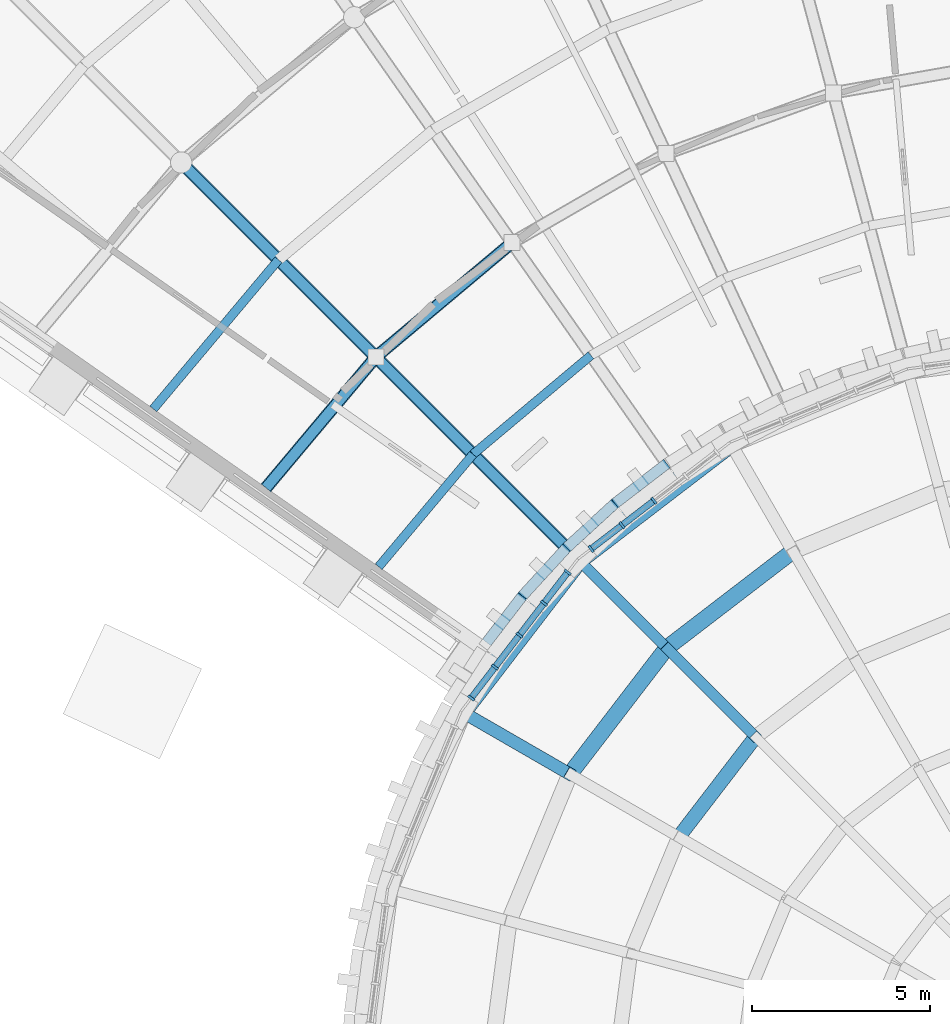
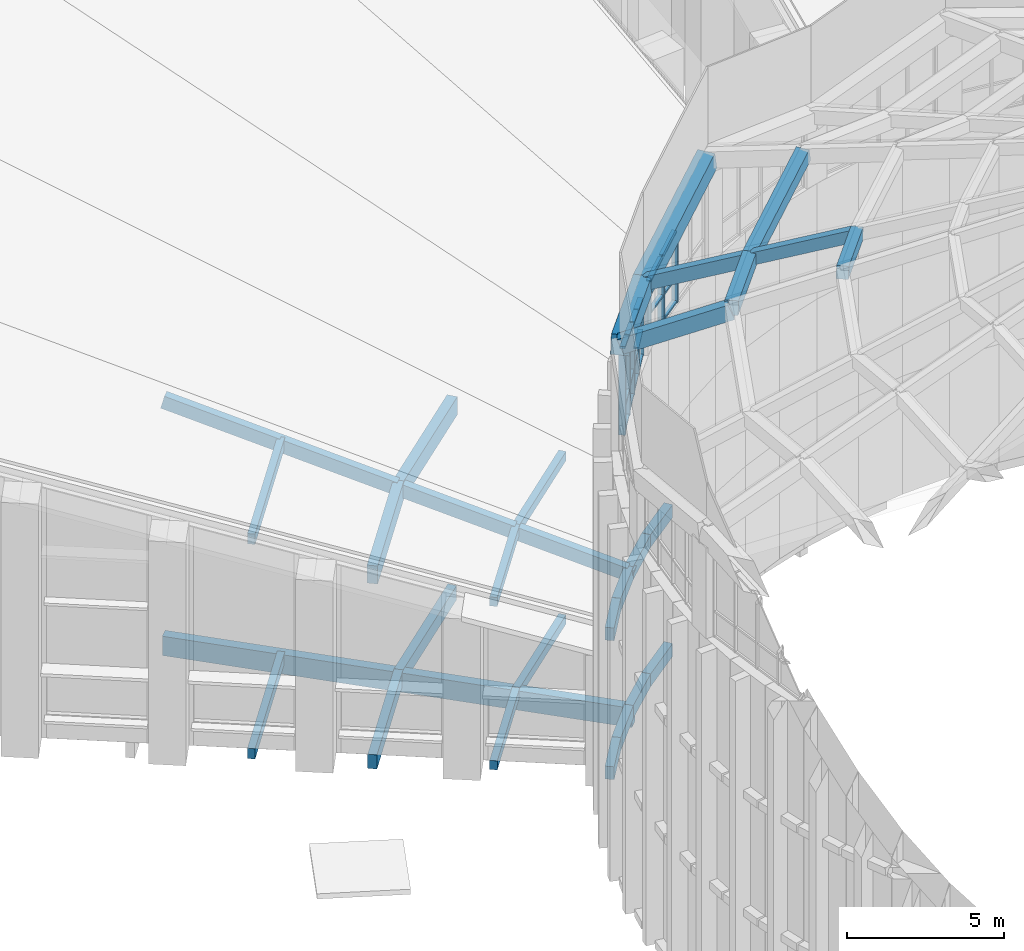
# One storey, part 10 of 82: 30 beams, 26 members, 2 elements without a shape of their own.
"""IFC4 building model written with IfcOpenShell, lengths in metres."""

import ifcopenshell
import ifcopenshell.guid

model = None  # the IFC model being written
_history = None  # IfcOwnerHistory: only IFC2X3 demands one
_inside = {}  # id of a spatial element -> (the spatial element, [elements in it])
_under = {}  # id of a project, library or spatial element -> (it, [spatial elements below it])
_declared = {}  # id of a project -> (the project, [libraries it declares])
_typed = {}  # id of a type object -> (the type object, [elements of that type])
_made_of = {}  # id of a material, layer set ... -> (it, [elements and type objects made of it])


def new_model(schema):
    """Start an empty IFC model of exactly this schema.

    Asked for "IFC4X3", IfcOpenShell would pick the latest addendum, in which some entities
    have other attributes; the version numbers below select the first issue.
    IFC2X3 requires an IfcOwnerHistory on every rooted entity: one is made here for all.
    """
    global model, _history
    if schema == "IFC4X3":
        model = ifcopenshell.file(schema_version=(4, 3, 0, 0))
    else:
        model = ifcopenshell.file(schema=schema)
    _inside.clear()
    _under.clear()
    _declared.clear()
    _typed.clear()
    _made_of.clear()
    _history = None
    if model.schema == "IFC2X3":
        org = make("IfcOrganization", Name="unknown")
        user = make(
            "IfcPersonAndOrganization",
            ThePerson=make("IfcPerson", FamilyName="unknown"),
            TheOrganization=org,
        )
        app = make(
            "IfcApplication",
            ApplicationDeveloper=org,
            Version="unknown",
            ApplicationFullName="unknown",
            ApplicationIdentifier="unknown",
        )
        _history = make(
            "IfcOwnerHistory",
            OwningUser=user,
            OwningApplication=app,
            ChangeAction="ADDED",
            CreationDate=0,
        )
    return model


def make(cls, **values):
    """One entity of the class cls with the attributes given. An attribute that is None is left unset."""
    return model.create_entity(
        cls, **{name: value for name, value in values.items() if value is not None}
    )


def rooted(cls, **values):
    """An entity with a GlobalId (a new one), such as an element, a storey or a relation."""
    return make(cls, GlobalId=ifcopenshell.guid.new(), OwnerHistory=_history, **values)


def si_unit(unit_type, name, prefix=None):
    """IfcSIUnit, for example si_unit("LENGTHUNIT", "METRE", prefix="MILLI")."""
    return make("IfcSIUnit", UnitType=unit_type, Prefix=prefix, Name=name)


def assignment(units):
    """IfcUnitAssignment: the units of a project."""
    return None if units is None else make("IfcUnitAssignment", Units=units)


def point(xyz):
    """IfcCartesianPoint."""
    return None if xyz is None else make("IfcCartesianPoint", Coordinates=xyz)


def direction(xyz):
    """IfcDirection."""
    return None if xyz is None else make("IfcDirection", DirectionRatios=xyz)


def frame(location, z_axis=None, x_axis=None):
    """IfcAxis2Placement3D, a coordinate frame: its origin and axes. An axis left out is left unset."""
    return make(
        "IfcAxis2Placement3D",
        Location=point(location),
        Axis=direction(z_axis),
        RefDirection=direction(x_axis),
    )


def frame_2d(location, x_axis=None):
    """IfcAxis2Placement2D, a coordinate frame in the plane: its origin and x axis."""
    return make(
        "IfcAxis2Placement2D", Location=point(location), RefDirection=direction(x_axis)
    )


def origin():
    """The frame at (0, 0, 0) with its axes left unset."""
    return frame((0.0, 0.0, 0.0))


def origin_2d():
    """The frame at (0, 0) in the plane with its x axis left unset."""
    return frame_2d((0.0, 0.0))


def place(relative_to, where):
    """IfcLocalPlacement: puts the frame where relative to a parent placement (None: the world)."""
    return make(
        "IfcLocalPlacement", PlacementRelTo=relative_to, RelativePlacement=where
    )


def context(
    kind, dimensions, precision=None, world=None, true_north=None, identifier=None
):
    """IfcGeometricRepresentationContext, for example the 3D "Model" context."""
    return make(
        "IfcGeometricRepresentationContext",
        ContextIdentifier=identifier,
        ContextType=kind,
        CoordinateSpaceDimension=dimensions,
        Precision=precision,
        WorldCoordinateSystem=world,
        TrueNorth=true_north,
    )


def subcontext(parent, identifier, kind, view, scale=None):
    """IfcGeometricRepresentationSubContext, for example "Body" below "Model"."""
    return make(
        "IfcGeometricRepresentationSubContext",
        ContextIdentifier=identifier,
        ContextType=kind,
        ParentContext=parent,
        TargetScale=scale,
        TargetView=view,
    )


def project(units=None, contexts=None):
    """IfcProject with its units and contexts."""
    return rooted(
        "IfcProject",
        Name="project",
        RepresentationContexts=contexts,
        UnitsInContext=assignment(units),
    )


def spatial(cls, under=None, at=None, **own):
    """A site, building, storey or space (cls), placed at a placement, below another one or the project."""
    s = rooted(cls, ObjectPlacement=at, **own)
    if under is not None:
        _under.setdefault(under.id(), (under, []))[1].append(s)
    return s


def profile(cls, at=None, kind="AREA", **sizes):
    """A parametric profile (cls). Its sizes go by their IFC names, for example OverallWidth=200.0."""
    return make(cls, ProfileType=kind, Position=at, **sizes)


def rectangle(**sizes):
    """IfcRectangleProfileDef."""
    return profile("IfcRectangleProfileDef", **sizes)


def extrude(swept, where, along, depth):
    """IfcExtrudedAreaSolid: the profile swept, set in the frame where, extruded along a direction by depth."""
    return make(
        "IfcExtrudedAreaSolid",
        SweptArea=swept,
        Position=where,
        ExtrudedDirection=direction(along),
        Depth=depth,
    )


def shape(context_of_items, identifier, shape_type, items):
    """IfcShapeRepresentation: the items that make up one representation, for example the "Body"."""
    return make(
        "IfcShapeRepresentation",
        ContextOfItems=context_of_items,
        RepresentationIdentifier=identifier,
        RepresentationType=shape_type,
        Items=items,
    )


def material(Name=None, Category=None):
    """IfcMaterial."""
    return make("IfcMaterial", Name=Name, Category=Category)


def layer(
    of_material, thickness, ventilated=None, Name=None, Category=None, Priority=None
):
    """IfcMaterialLayer: one layer of a wall or slab, of a material (None: an air gap)."""
    return make(
        "IfcMaterialLayer",
        Material=of_material,
        LayerThickness=thickness,
        IsVentilated=ventilated,
        Name=Name,
        Category=Category,
        Priority=Priority,
    )


def layer_set(layers, Name=None):
    """IfcMaterialLayerSet."""
    return make("IfcMaterialLayerSet", MaterialLayers=layers, LayerSetName=Name)


def material_profile(
    of_material, cross_section, Name=None, Category=None, Priority=None
):
    """IfcMaterialProfile: a cross section and its material."""
    return make(
        "IfcMaterialProfile",
        Name=Name,
        Material=of_material,
        Profile=cross_section,
        Priority=Priority,
        Category=Category,
    )


def profile_set(profiles, Name=None, composite=None):
    """IfcMaterialProfileSet."""
    return make(
        "IfcMaterialProfileSet",
        Name=Name,
        MaterialProfiles=profiles,
        CompositeProfile=composite,
    )


def made_of(thing, what):
    """Note that an element or type object is made of a material, layer set ...; save() writes the relation."""
    if what is not None:
        _made_of.setdefault(what.id(), (what, []))[1].append(thing)
    return thing


def type_object(cls, material=None, **own):
    """A type object (cls), such as IfcWallType, which elements share."""
    return made_of(rooted(cls, **own), material)


def element(
    cls,
    number,
    at=None,
    inside=None,
    cuts=None,
    type_object=None,
    material=None,
    context=None,
    identifier="Body",
    shape_type=None,
    held_by="IfcProductDefinitionShape",
    body=None,
    shapes=None,
    **own,
):
    """One element of the class cls, such as IfcWall. Its Tag is "e" and its number.

    at: its placement. inside: the storey or other place that contains it. cuts: it is an
    opening in that element (IfcRelVoidsElement). A single representation is given by context,
    identifier, shape_type and body (its items); several are given by shapes. held_by: the class
    of the entity that holds the representations. save() writes the other relations.
    """
    e = rooted(cls, Tag="e%d" % number, ObjectPlacement=at, **own)
    if body is not None:
        shapes = [shape(context, identifier, shape_type, body)]
    if shapes is not None:
        e.Representation = make(held_by, Representations=shapes)
    if inside is not None:
        _inside.setdefault(inside.id(), (inside, []))[1].append(e)
    if cuts is not None:
        rooted(
            "IfcRelVoidsElement", RelatingBuildingElement=cuts, RelatedOpeningElement=e
        )
    if type_object is not None:
        _typed.setdefault(type_object.id(), (type_object, []))[1].append(e)
    return made_of(e, material)


def aggregate(whole, parts):
    """IfcRelAggregates: a whole, such as a stair, and the parts it consists of."""
    return rooted("IfcRelAggregates", RelatingObject=whole, RelatedObjects=parts)


def save(model, path):
    """Write the relations noted so far, then the file.

    IfcRelAggregates (storeys below a building ...), IfcRelContainedInSpatialStructure (elements
    in a storey), IfcRelDefinesByType, IfcRelAssociatesMaterial and IfcRelDeclares: one each for
    every whole, place, type object, material and project.
    """
    for whole, parts in _under.values():
        aggregate(whole, parts)
    for where, things in _inside.values():
        rooted(
            "IfcRelContainedInSpatialStructure",
            RelatedElements=things,
            RelatingStructure=where,
        )
    for kind, things in _typed.values():
        rooted("IfcRelDefinesByType", RelatedObjects=things, RelatingType=kind)
    for what, things in _made_of.values():
        rooted("IfcRelAssociatesMaterial", RelatedObjects=things, RelatingMaterial=what)
    for by, libraries in _declared.values():
        rooted("IfcRelDeclares", RelatingContext=by, RelatedDefinitions=libraries)
    model.write(path)


model = new_model("IFC4")

# Units and contexts
model_context = context("Model", 3, precision=1e-05, world=origin(), true_north=direction((0.0, 1.0)))
body_context = subcontext(model_context, "Body", "Model", "MODEL_VIEW")
ifc_project = project(units=[si_unit("LENGTHUNIT", "METRE"), si_unit("AREAUNIT", "SQUARE_METRE"), si_unit("VOLUMEUNIT", "CUBIC_METRE"), si_unit("PLANEANGLEUNIT", "RADIAN"), si_unit("MASSUNIT", "GRAM", prefix="KILO")], contexts=[model_context])

# Site, building, storey
site_placement = place(None, origin())
site = spatial("IfcSite", under=ifc_project, at=site_placement, CompositionType="ELEMENT")
building_placement = place(site_placement, origin())
building = spatial("IfcBuilding", under=site, at=building_placement, Name="Volute Hill Aquarium", CompositionType="ELEMENT")
storey_placement = place(building_placement, frame((0.0, 0.0, 13.800048828125)))
storey = spatial("IfcBuildingStorey", under=building, at=storey_placement, Name="L04", CompositionType="ELEMENT", Elevation=13.800048828125)

# Beams
ifc_material_1 = material(Name="Concrete C35/45", Category="concrete")
ifc_material_profile_1 = material_profile(ifc_material_1, rectangle(XDim=0.300048828125, YDim=0.550048828125, at=origin_2d()), Name="RC beam 300x550")
ifc_profile_set_1 = profile_set([ifc_material_profile_1], Name="Concrete C35/45")
beam_type_1 = type_object("IfcBeamType", Name="Beam 300x550 C35/45", PredefinedType="BEAM", material=ifc_profile_set_1)
beam_1_placement = place(storey_placement, frame((-16.490234375, 23.550537109375, -0.594970703125), z_axis=(-0.766064633548, -0.642763546902, 0.0), x_axis=(0.642763546902, -0.766064633548, 0.0)))
element("IfcBeam", 1, at=beam_1_placement, inside=storey, type_object=beam_type_1, Name="bm/S6/L04/ring1.20", PredefinedType="BEAM", context=body_context, shape_type="SweptSolid", body=[
    extrude(rectangle(XDim=0.300048828125, YDim=0.550048828125, at=origin_2d()), origin(), (0.0, 0.0, 1.0), 5.011474609375),
])
beam_2_placement = place(storey_placement, frame((-20.329345703125, 20.329345703125, -0.594970703125), z_axis=(-0.642751605204, -0.766074653025, 0.0), x_axis=(0.766074653025, -0.642751605204, 0.0)))
element("IfcBeam", 2, at=beam_2_placement, inside=storey, type_object=beam_type_1, Name="bm/S6/L04/ring1.21", PredefinedType="BEAM", context=body_context, shape_type="SweptSolid", body=[
    extrude(rectangle(XDim=0.300048828125, YDim=0.550048828125, at=origin_2d()), origin(), (0.0, 0.0, 1.0), 4.810546875),
])
ifc_material_2 = material(Name="Concrete C35/45", Category="concrete")
ifc_material_profile_2 = material_profile(ifc_material_2, rectangle(XDim=0.35009765625, YDim=0.699951171875, at=origin_2d()), Name="RC beam 350x700")
ifc_profile_set_2 = profile_set([ifc_material_profile_2], Name="Concrete C35/45")
beam_type_2 = type_object("IfcBeamType", Name="Beam 350x700 C35/45", PredefinedType="BEAM", material=ifc_profile_set_2)
beam_3_placement = place(storey_placement, frame((-16.490234375, 23.550537109375, 6.68408203125), z_axis=(-0.766064633548, -0.642763546902, 0.0), x_axis=(0.642763546902, -0.766064633548, 0.0)))
element("IfcBeam", 3, at=beam_3_placement, inside=storey, type_object=beam_type_2, Name="rb/S6/L04/ring1.20", PredefinedType="BEAM", context=body_context, shape_type="SweptSolid", body=[
    extrude(rectangle(XDim=0.35009765625, YDim=0.699951171875, at=origin_2d()), origin(), (0.0, 0.0, 1.0), 5.011474609375),
])
beam_4_placement = place(storey_placement, frame((-20.329345703125, 20.329345703125, 6.68408203125), z_axis=(-0.642751605204, -0.766074653025, 0.0), x_axis=(0.766074653025, -0.642751605204, 0.0)))
element("IfcBeam", 4, at=beam_4_placement, inside=storey, type_object=beam_type_2, Name="rb/S6/L04/ring1.21", PredefinedType="BEAM", context=body_context, shape_type="SweptSolid", body=[
    extrude(rectangle(XDim=0.35009765625, YDim=0.699951171875, at=origin_2d()), origin(), (0.0, 0.0, 1.0), 4.810546875),
])
ifc_material_3 = material(Name="Concrete C35/45", Category="concrete")
ifc_material_profile_3 = material_profile(ifc_material_3, rectangle(XDim=0.35009765625, YDim=0.75, at=origin_2d()), Name="RC beam 350x750")
ifc_profile_set_3 = profile_set([ifc_material_profile_3], Name="Concrete C35/45")
beam_type_3 = type_object("IfcBeamType", Name="Beam 350x750 C35/45", PredefinedType="BEAM", material=ifc_profile_set_3)
beam_5_placement = place(storey_placement, frame((-14.84912109375, 14.84912109375, -0.695068359375), z_axis=(-0.707106781187, 0.707106781187, 0.0), x_axis=(-0.707106781187, -0.707106781187, 0.0)))
element("IfcBeam", 5, at=beam_5_placement, inside=storey, type_object=beam_type_3, Name="bm/S6/L04/rad4.13", PredefinedType="BEAM", context=body_context, shape_type="SweptSolid", body=[
    extrude(rectangle(XDim=0.35009765625, YDim=0.75, at=origin_2d()), origin(), (0.0, 0.0, 1.0), 7.750244140625),
])
beam_6_placement = place(storey_placement, frame((-20.329345703125, 20.329345703125, -0.695068359375), z_axis=(-0.707106781187, 0.707106781187, 0.0), x_axis=(-0.707106781187, -0.707106781187, 0.0)))
element("IfcBeam", 6, at=beam_6_placement, inside=storey, type_object=beam_type_3, Name="bm/S6/L04/rad4.14", PredefinedType="BEAM", context=body_context, shape_type="SweptSolid", body=[
    extrude(rectangle(XDim=0.35009765625, YDim=0.75, at=origin_2d()), origin(), (0.0, 0.0, 1.0), 7.749755859375),
])

# Curtain wall, members
ifc_material_4 = material(Name="Aluminium", Category="aluminium")
ifc_layer = layer(ifc_material_4, 0.219970703125)
ifc_layer_set = layer_set([ifc_layer], Name="Curtain wall DR clerestory module 1134")
curtain_wall_type = type_object("IfcCurtainWallType", Name="Curtain wall DR clerestory module 1134", PredefinedType="NOTDEFINED", material=ifc_layer_set)
curtain_wall_1_placement = place(storey_placement, origin())
curtain_wall_1 = element("IfcCurtainWall", 7, at=curtain_wall_1_placement, inside=storey, type_object=curtain_wall_type, Name="Curtain wall CW DR clerestory c08", PredefinedType="NOTDEFINED")
ifc_material_5 = material(Name="Aluminium", Category="aluminium")
ifc_material_profile_4 = material_profile(ifc_material_5, rectangle(XDim=0.219970703125, YDim=0.070068359375, at=origin_2d()), Name="Curtain wall mullion clerestory 70x220")
ifc_profile_set_4 = profile_set([ifc_material_profile_4], Name="Aluminium")
member_type_1 = type_object("IfcMemberType", Name="Curtain wall mullion clerestory 70x220", PredefinedType="MULLION", material=ifc_profile_set_4)
member_1_placement = place(storey_placement, frame((-12.49365234375, 16.281982421875, 13.699951171875), z_axis=(0.0, 0.0, 1.0), x_axis=(0.608760551921, -0.793354013303, 0.0)))
member_1 = element("IfcMember", 8, at=member_1_placement, type_object=member_type_1, Name="Mullion DR clerestory 3", PredefinedType="MULLION", context=body_context, shape_type="SweptSolid", body=[
    extrude(rectangle(XDim=0.219970703125, YDim=0.070068359375, at=origin_2d()), origin(), (0.0, 0.0, 1.0), 2.827392578125),
])
member_2_placement = place(storey_placement, frame((-13.393310546875, 15.591552734375, 13.699951171875), z_axis=(0.0, 0.0, 1.0), x_axis=(0.608760551921, -0.793354013303, 0.0)))
member_2 = element("IfcMember", 9, at=member_2_placement, type_object=member_type_1, Name="Mullion DR clerestory 4", PredefinedType="MULLION", context=body_context, shape_type="SweptSolid", body=[
    extrude(rectangle(XDim=0.219970703125, YDim=0.070068359375, at=origin_2d()), origin(), (0.0, 0.0, 1.0), 2.533447265625),
])
member_3_placement = place(storey_placement, frame((-14.26513671875, 14.922607421875, 13.699951171875), z_axis=(0.0, 0.0, 1.0), x_axis=(0.608760551921, -0.793354013303, 0.0)))
member_3 = element("IfcMember", 10, at=member_3_placement, type_object=member_type_1, Name="Mullion DR clerestory 5", PredefinedType="MULLION", context=body_context, shape_type="SweptSolid", body=[
    extrude(rectangle(XDim=0.219970703125, YDim=0.070068359375, at=origin_2d()), origin(), (0.0, 0.0, 1.0), 2.248779296875),
])

curtain_wall_2_placement = place(storey_placement, origin())
curtain_wall_2 = element("IfcCurtainWall", 11, at=curtain_wall_2_placement, inside=storey, type_object=curtain_wall_type, Name="Curtain wall CW DR clerestory c09", PredefinedType="NOTDEFINED")
member_4_placement = place(storey_placement, frame((-14.922607421875, 14.26513671875, 13.699951171875), z_axis=(0.0, 0.0, 1.0), x_axis=(0.793354013303, -0.608760551921, 0.0)))
member_4 = element("IfcMember", 12, at=member_4_placement, type_object=member_type_1, Name="Mullion DR clerestory 1", PredefinedType="MULLION", context=body_context, shape_type="SweptSolid", body=[
    extrude(rectangle(XDim=0.219970703125, YDim=0.070068359375, at=origin_2d()), origin(), (0.0, 0.0, 1.0), 2.248779296875),
])
member_5_placement = place(storey_placement, frame((-15.591552734375, 13.393310546875, 13.699951171875), z_axis=(0.0, 0.0, 1.0), x_axis=(0.793354013303, -0.608760551921, 0.0)))
member_5 = element("IfcMember", 13, at=member_5_placement, type_object=member_type_1, Name="Mullion DR clerestory 2", PredefinedType="MULLION", context=body_context, shape_type="SweptSolid", body=[
    extrude(rectangle(XDim=0.219970703125, YDim=0.070068359375, at=origin_2d()), origin(), (0.0, 0.0, 1.0), 2.533447265625),
])
member_6_placement = place(storey_placement, frame((-16.281982421875, 12.49365234375, 13.699951171875), z_axis=(0.0, 0.0, 1.0), x_axis=(0.793354013303, -0.608760551921, 0.0)))
member_6 = element("IfcMember", 14, at=member_6_placement, type_object=member_type_1, Name="Mullion DR clerestory 3", PredefinedType="MULLION", context=body_context, shape_type="SweptSolid", body=[
    extrude(rectangle(XDim=0.219970703125, YDim=0.070068359375, at=origin_2d()), origin(), (0.0, 0.0, 1.0), 2.827392578125),
])
member_7_placement = place(storey_placement, frame((-16.97216796875, 11.593994140625, 13.699951171875), z_axis=(0.0, 0.0, 1.0), x_axis=(0.793354013303, -0.608760551921, 0.0)))
member_7 = element("IfcMember", 15, at=member_7_placement, type_object=member_type_1, Name="Mullion DR clerestory 4", PredefinedType="MULLION", context=body_context, shape_type="SweptSolid", body=[
    extrude(rectangle(XDim=0.219970703125, YDim=0.070068359375, at=origin_2d()), origin(), (0.0, 0.0, 1.0), 3.12109375),
])
member_8_placement = place(storey_placement, frame((-17.641357421875, 10.721923828125, 13.699951171875), z_axis=(0.0, 0.0, 1.0), x_axis=(0.793354013303, -0.608760551921, 0.0)))
member_8 = element("IfcMember", 16, at=member_8_placement, type_object=member_type_1, Name="Mullion DR clerestory 5", PredefinedType="MULLION", context=body_context, shape_type="SweptSolid", body=[
    extrude(rectangle(XDim=0.219970703125, YDim=0.070068359375, at=origin_2d()), origin(), (0.0, 0.0, 1.0), 3.40576171875),
])

# Member
ifc_material_6 = material(Name="Aluminium", Category="aluminium")
ifc_material_profile_5 = material_profile(ifc_material_6, rectangle(XDim=0.179931640625, YDim=0.070068359375, at=origin_2d()), Name="Curtain wall transom clerestory 70x180")
ifc_profile_set_5 = profile_set([ifc_material_profile_5], Name="Aluminium")
member_type_2 = type_object("IfcMemberType", Name="Curtain wall transom clerestory 70x180", PredefinedType="USERDEFINED", material=ifc_profile_set_5)
member_9_placement = place(storey_placement, frame((-12.521240234375, 16.260498046875, 13.73486328125), z_axis=(-0.793399515431, -0.608701247669, 0.0), x_axis=(0.608701247669, -0.793399515431, 0.0)))
member_9 = element("IfcMember", 17, at=member_9_placement, type_object=member_type_2, Name="Transom DR clerestory 3.1", ObjectType="TRANSOM", PredefinedType="USERDEFINED", context=body_context, shape_type="SweptSolid", body=[
    extrude(rectangle(XDim=0.179931640625, YDim=0.070068359375, at=origin_2d()), origin(), (0.0, 0.0, 1.0), 1.06396484375),
])

member_10_placement = place(storey_placement, frame((-12.521240234375, 16.260498046875, 14.699951171875), z_axis=(-0.793399515431, -0.608701247669, 0.0), x_axis=(0.608701247669, -0.793399515431, 0.0)))
member_10 = element("IfcMember", 18, at=member_10_placement, type_object=member_type_2, Name="Transom DR clerestory 3.2", ObjectType="TRANSOM", PredefinedType="USERDEFINED", context=body_context, shape_type="SweptSolid", body=[
    extrude(rectangle(XDim=0.179931640625, YDim=0.070068359375, at=origin_2d()), origin(), (0.0, 0.0, 1.0), 1.06396484375),
])

member_11_placement = place(storey_placement, frame((-12.521240234375, 16.260498046875, 16.483154296875), z_axis=(-0.768049825103, -0.589252801041, -0.250760049896), x_axis=(0.608701247669, -0.793399515431, 0.0)))
member_11 = element("IfcMember", 19, at=member_11_placement, type_object=member_type_2, Name="Head member DR clerestory 3", ObjectType="TRANSOM", PredefinedType="USERDEFINED", context=body_context, shape_type="SweptSolid", body=[
    extrude(rectangle(XDim=0.179931640625, YDim=0.070068359375, at=origin_2d()), origin(), (0.0, 0.0, 1.0), 1.09912109375),
])

member_12_placement = place(storey_placement, frame((-13.4208984375, 15.5703125, 13.73486328125), z_axis=(-0.793346631306, -0.608770172228, 0.0), x_axis=(0.608770172228, -0.793346631306, 0.0)))
member_12 = element("IfcMember", 20, at=member_12_placement, type_object=member_type_2, Name="Transom DR clerestory 4.1", ObjectType="TRANSOM", PredefinedType="USERDEFINED", context=body_context, shape_type="SweptSolid", body=[
    extrude(rectangle(XDim=0.179931640625, YDim=0.070068359375, at=origin_2d()), origin(), (0.0, 0.0, 1.0), 1.029052734375),
])

member_13_placement = place(storey_placement, frame((-13.4208984375, 15.5703125, 14.699951171875), z_axis=(-0.793346631306, -0.608770172228, 0.0), x_axis=(0.608770172228, -0.793346631306, 0.0)))
member_13 = element("IfcMember", 21, at=member_13_placement, type_object=member_type_2, Name="Transom DR clerestory 4.2", ObjectType="TRANSOM", PredefinedType="USERDEFINED", context=body_context, shape_type="SweptSolid", body=[
    extrude(rectangle(XDim=0.179931640625, YDim=0.070068359375, at=origin_2d()), origin(), (0.0, 0.0, 1.0), 1.029052734375),
])

member_14_placement = place(storey_placement, frame((-13.4208984375, 15.5703125, 16.189453125), z_axis=(-0.767992128442, -0.589314533966, -0.250791687876), x_axis=(0.608770172228, -0.793346631306, 0.0)))
member_14 = element("IfcMember", 22, at=member_14_placement, type_object=member_type_2, Name="Head member DR clerestory 4", ObjectType="TRANSOM", PredefinedType="USERDEFINED", context=body_context, shape_type="SweptSolid", body=[
    extrude(rectangle(XDim=0.179931640625, YDim=0.070068359375, at=origin_2d()), origin(), (0.0, 0.0, 1.0), 1.06298828125),
])

aggregate(curtain_wall_1, [member_1, member_2, member_3, member_9, member_10, member_11, member_12, member_13, member_14])

member_15_placement = place(storey_placement, frame((-14.94384765625, 14.2373046875, 13.73486328125), z_axis=(-0.608770172228, -0.793346631306, 0.0), x_axis=(0.793346631306, -0.608770172228, 0.0)))
member_15 = element("IfcMember", 23, at=member_15_placement, type_object=member_type_2, Name="Transom DR clerestory 1.1", ObjectType="TRANSOM", PredefinedType="USERDEFINED", context=body_context, shape_type="SweptSolid", body=[
    extrude(rectangle(XDim=0.179931640625, YDim=0.070068359375, at=origin_2d()), origin(), (0.0, 0.0, 1.0), 1.029052734375),
])

member_16_placement = place(storey_placement, frame((-14.94384765625, 14.2373046875, 14.699951171875), z_axis=(-0.608770172228, -0.793346631306, 0.0), x_axis=(0.793346631306, -0.608770172228, 0.0)))
member_16 = element("IfcMember", 24, at=member_16_placement, type_object=member_type_2, Name="Transom DR clerestory 1.2", ObjectType="TRANSOM", PredefinedType="USERDEFINED", context=body_context, shape_type="SweptSolid", body=[
    extrude(rectangle(XDim=0.179931640625, YDim=0.070068359375, at=origin_2d()), origin(), (0.0, 0.0, 1.0), 1.029052734375),
])

member_17_placement = place(storey_placement, frame((-14.94384765625, 14.2373046875, 15.9228515625), z_axis=(-0.589314533966, -0.767992128442, 0.250791687876), x_axis=(0.793346631306, -0.608770172228, 0.0)))
member_17 = element("IfcMember", 25, at=member_17_placement, type_object=member_type_2, Name="Head member DR clerestory 1", ObjectType="TRANSOM", PredefinedType="USERDEFINED", context=body_context, shape_type="SweptSolid", body=[
    extrude(rectangle(XDim=0.179931640625, YDim=0.070068359375, at=origin_2d()), origin(), (0.0, 0.0, 1.0), 1.06298828125),
])

member_18_placement = place(storey_placement, frame((-15.61279296875, 13.365478515625, 13.73486328125), z_axis=(-0.608701247669, -0.793399515431, 0.0), x_axis=(0.793399515431, -0.608701247669, 0.0)))
member_18 = element("IfcMember", 26, at=member_18_placement, type_object=member_type_2, Name="Transom DR clerestory 2.1", ObjectType="TRANSOM", PredefinedType="USERDEFINED", context=body_context, shape_type="SweptSolid", body=[
    extrude(rectangle(XDim=0.179931640625, YDim=0.070068359375, at=origin_2d()), origin(), (0.0, 0.0, 1.0), 1.06396484375),
])

member_19_placement = place(storey_placement, frame((-15.61279296875, 13.365478515625, 14.699951171875), z_axis=(-0.608701247669, -0.793399515431, 0.0), x_axis=(0.793399515431, -0.608701247669, 0.0)))
member_19 = element("IfcMember", 27, at=member_19_placement, type_object=member_type_2, Name="Transom DR clerestory 2.2", ObjectType="TRANSOM", PredefinedType="USERDEFINED", context=body_context, shape_type="SweptSolid", body=[
    extrude(rectangle(XDim=0.179931640625, YDim=0.070068359375, at=origin_2d()), origin(), (0.0, 0.0, 1.0), 1.06396484375),
])

member_20_placement = place(storey_placement, frame((-15.61279296875, 13.365478515625, 16.20751953125), z_axis=(-0.589252801041, -0.768049825103, 0.250760049896), x_axis=(0.793399515431, -0.608701247669, 0.0)))
member_20 = element("IfcMember", 28, at=member_20_placement, type_object=member_type_2, Name="Head member DR clerestory 2", ObjectType="TRANSOM", PredefinedType="USERDEFINED", context=body_context, shape_type="SweptSolid", body=[
    extrude(rectangle(XDim=0.179931640625, YDim=0.070068359375, at=origin_2d()), origin(), (0.0, 0.0, 1.0), 1.09912109375),
])

member_21_placement = place(storey_placement, frame((-16.30322265625, 12.4658203125, 13.73486328125), z_axis=(-0.608701247669, -0.793399515431, 0.0), x_axis=(0.793399515431, -0.608701247669, 0.0)))
member_21 = element("IfcMember", 29, at=member_21_placement, type_object=member_type_2, Name="Transom DR clerestory 3.1", ObjectType="TRANSOM", PredefinedType="USERDEFINED", context=body_context, shape_type="SweptSolid", body=[
    extrude(rectangle(XDim=0.179931640625, YDim=0.070068359375, at=origin_2d()), origin(), (0.0, 0.0, 1.0), 1.06396484375),
])

member_22_placement = place(storey_placement, frame((-16.30322265625, 12.4658203125, 14.699951171875), z_axis=(-0.608701247669, -0.793399515431, 0.0), x_axis=(0.793399515431, -0.608701247669, 0.0)))
member_22 = element("IfcMember", 30, at=member_22_placement, type_object=member_type_2, Name="Transom DR clerestory 3.2", ObjectType="TRANSOM", PredefinedType="USERDEFINED", context=body_context, shape_type="SweptSolid", body=[
    extrude(rectangle(XDim=0.179931640625, YDim=0.070068359375, at=origin_2d()), origin(), (0.0, 0.0, 1.0), 1.06396484375),
])

member_23_placement = place(storey_placement, frame((-16.30322265625, 12.4658203125, 16.501220703125), z_axis=(-0.589219970321, -0.768007032556, 0.250968174317), x_axis=(0.793399515431, -0.608701247669, 0.0)))
member_23 = element("IfcMember", 31, at=member_23_placement, type_object=member_type_2, Name="Head member DR clerestory 3", ObjectType="TRANSOM", PredefinedType="USERDEFINED", context=body_context, shape_type="SweptSolid", body=[
    extrude(rectangle(XDim=0.179931640625, YDim=0.070068359375, at=origin_2d()), origin(), (0.0, 0.0, 1.0), 1.099365234375),
])

member_24_placement = place(storey_placement, frame((-16.99365234375, 11.566162109375, 13.73486328125), z_axis=(-0.608620818261, -0.793461214918, 0.0), x_axis=(0.793461214918, -0.608620818261, 0.0)))
member_24 = element("IfcMember", 32, at=member_24_placement, type_object=member_type_2, Name="Transom DR clerestory 4.1", ObjectType="TRANSOM", PredefinedType="USERDEFINED", context=body_context, shape_type="SweptSolid", body=[
    extrude(rectangle(XDim=0.179931640625, YDim=0.070068359375, at=origin_2d()), origin(), (0.0, 0.0, 1.0), 1.02880859375),
])

member_25_placement = place(storey_placement, frame((-16.99365234375, 11.566162109375, 14.699951171875), z_axis=(-0.608620818261, -0.793461214918, 0.0), x_axis=(0.793461214918, -0.608620818261, 0.0)))
member_25 = element("IfcMember", 33, at=member_25_placement, type_object=member_type_2, Name="Transom DR clerestory 4.2", ObjectType="TRANSOM", PredefinedType="USERDEFINED", context=body_context, shape_type="SweptSolid", body=[
    extrude(rectangle(XDim=0.179931640625, YDim=0.070068359375, at=origin_2d()), origin(), (0.0, 0.0, 1.0), 1.02880859375),
])

member_26_placement = place(storey_placement, frame((-16.99365234375, 11.566162109375, 16.795166015625), z_axis=(-0.58916460075, -0.768096072089, 0.250825631196), x_axis=(0.793461214918, -0.608620818261, 0.0)))
member_26 = element("IfcMember", 34, at=member_26_placement, type_object=member_type_2, Name="Head member DR clerestory 4", ObjectType="TRANSOM", PredefinedType="USERDEFINED", context=body_context, shape_type="SweptSolid", body=[
    extrude(rectangle(XDim=0.179931640625, YDim=0.070068359375, at=origin_2d()), origin(), (0.0, 0.0, 1.0), 1.06298828125),
])

aggregate(curtain_wall_2, [member_4, member_5, member_6, member_7, member_8, member_15, member_16, member_17, member_18, member_19, member_20, member_21, member_22, member_23, member_24, member_25, member_26])

# Beams
ifc_material_7 = material(Name="Concrete C40/50", Category="concrete")
ifc_material_profile_6 = material_profile(ifc_material_7, rectangle(XDim=0.60009765625, YDim=0.699951171875, at=origin_2d()), Name="RC beam 600x700")
ifc_profile_set_6 = profile_set([ifc_material_profile_6], Name="Concrete C40/50")
beam_type_4 = type_object("IfcBeamType", Name="Dome shell eave ring beam 600x700", PredefinedType="BEAM", material=ifc_profile_set_6)
for number, where, z_axis, x_axis, name in (
    (35, (-10.35009765625, 17.9267578125, 17.51611328125), (-0.768005978347, -0.58930025924, -0.250782817759), (0.608753981167, -0.793359055165, 0.0), "rb/DR/L04/eave.8"),
    (36, (-14.63720703125, 14.63720703125, 16.1162109375), (-0.58930025924, -0.768005978347, 0.250782817759), (0.793359055165, -0.608753981167, 0.0), "rb/DR/L04/eave.9"),
):
    element("IfcBeam", number, at=place(storey_placement, frame(where, z_axis=z_axis, x_axis=x_axis)), inside=storey, type_object=beam_type_4, Name=name, PredefinedType="BEAM", context=body_context, shape_type="SweptSolid", body=[
        extrude(rectangle(XDim=0.60009765625, YDim=0.699951171875, at=origin_2d()), origin(), (0.0, 0.0, 1.0), 5.58203125),
    ])
ifc_material_8 = material(Name="Concrete C40/50", Category="concrete")
ifc_material_profile_7 = material_profile(ifc_material_8, rectangle(XDim=0.35009765625, YDim=0.60009765625, at=origin_2d()), Name="RC rib 350x600")
ifc_profile_set_7 = profile_set([ifc_material_profile_7], Name="Concrete C40/50")
beam_type_5 = type_object("IfcBeamType", Name="Dome shell ridge rib 350x600", PredefinedType="BEAM", material=ifc_profile_set_7)
beam_7_placement = place(storey_placement, frame((-17.9267578125, 10.35009765625, 17.556884765625), z_axis=(0.80977897668, -0.467539824873, 0.354491919631), x_axis=(0.500011000363, 0.866019052629, 0.0)))
element("IfcBeam", 37, at=beam_7_placement, inside=storey, type_object=beam_type_5, Name="rb/DR/L04/ridge0.10", PredefinedType="BEAM", context=body_context, shape_type="SweptSolid", body=[
    extrude(rectangle(XDim=0.35009765625, YDim=0.60009765625, at=origin_2d()), origin(), (0.0, 0.0, 1.0), 3.785888671875),
])
ifc_material_9 = material(Name="Concrete C40/50", Category="concrete")
ifc_material_profile_8 = material_profile(ifc_material_9, rectangle(XDim=0.39990234375, YDim=0.449951171875, at=origin_2d()), Name="RC beam 400x450")
ifc_profile_set_8 = profile_set([ifc_material_profile_8], Name="Concrete C40/50")
beam_type_6 = type_object("IfcBeamType", Name="Dome shell ring beam 400x450", PredefinedType="BEAM", material=ifc_profile_set_8)
beam_8_placement = place(storey_placement, frame((-9.630859375, 9.630859375, 19.408447265625), z_axis=(-0.589319109649, -0.767989284107, 0.250789645918), x_axis=(0.793343259525, -0.608774566293, 0.0)))
element("IfcBeam", 38, at=beam_8_placement, inside=storey, type_object=beam_type_6, Name="rb/DR/L04/ring2.9", PredefinedType="BEAM", context=body_context, shape_type="SweptSolid", body=[
    extrude(rectangle(XDim=0.39990234375, YDim=0.449951171875, at=origin_2d()), origin(), (0.0, 0.0, 1.0), 3.6728515625),
])
ifc_material_10 = material(Name="Concrete C40/50", Category="concrete")
ifc_material_profile_9 = material_profile(ifc_material_10, rectangle(XDim=0.449951171875, YDim=0.5, at=origin_2d()), Name="RC beam 450x500")
ifc_profile_set_9 = profile_set([ifc_material_profile_9], Name="Concrete C40/50")
beam_type_7 = type_object("IfcBeamType", Name="Dome shell ring beam 450x500", PredefinedType="BEAM", material=ifc_profile_set_9)
for number, where, z_axis, x_axis, name in (
    (39, (-8.580078125, 14.861083984375, 18.961669921875), (-0.767994272249, -0.589303841521, -0.250810247322), (0.608762150599, -0.793352786595, 0.0), "rb/DR/L04/ring1.8"),
    (40, (-12.134033203125, 12.134033203125, 17.801025390625), (-0.589303841521, -0.767994272249, 0.250810247322), (0.793352786595, -0.608762150599, 0.0), "rb/DR/L04/ring1.9"),
):
    element("IfcBeam", number, at=place(storey_placement, frame(where, z_axis=z_axis, x_axis=x_axis)), inside=storey, type_object=beam_type_7, Name=name, PredefinedType="BEAM", context=body_context, shape_type="SweptSolid", body=[
        extrude(rectangle(XDim=0.449951171875, YDim=0.5, at=origin_2d()), origin(), (0.0, 0.0, 1.0), 4.627685546875),
    ])
ifc_material_11 = material(Name="Concrete C40/50", Category="concrete")
ifc_material_profile_10 = material_profile(ifc_material_11, rectangle(XDim=0.300048828125, YDim=0.449951171875, at=origin_2d()), Name="RC rib 300x450")
ifc_profile_set_10 = profile_set([ifc_material_profile_10], Name="Concrete C40/50")
beam_type_8 = type_object("IfcBeamType", Name="Dome shell valley rib 300x450", PredefinedType="BEAM", material=ifc_profile_set_10)
beam_9_placement = place(storey_placement, frame((-12.134033203125, 12.134033203125, 17.812744140625), z_axis=(0.645589557289, -0.645589557289, 0.407956182744), x_axis=(0.707106781187, 0.707106781187, 0.0)))
element("IfcBeam", 41, at=beam_9_placement, inside=storey, type_object=beam_type_8, Name="rb/DR/L04/valley1.9", PredefinedType="BEAM", context=body_context, shape_type="SweptSolid", body=[
    extrude(rectangle(XDim=0.300048828125, YDim=0.449951171875, at=origin_2d()), origin(), (0.0, 0.0, 1.0), 3.87744140625),
])
ifc_material_12 = material(Name="Concrete C40/50", Category="concrete")
ifc_material_profile_11 = material_profile(ifc_material_12, rectangle(XDim=0.300048828125, YDim=0.5, at=origin_2d()), Name="RC rib 300x500")
ifc_profile_set_11 = profile_set([ifc_material_profile_11], Name="Concrete C40/50")
beam_type_9 = type_object("IfcBeamType", Name="Dome shell valley rib 300x500", PredefinedType="BEAM", material=ifc_profile_set_11)
beam_10_placement = place(storey_placement, frame((-14.63720703125, 14.63720703125, 16.203857421875), z_axis=(0.645606140124, -0.645606140124, 0.407903694111), x_axis=(0.707106781187, 0.707106781187, 0.0)))
element("IfcBeam", 42, at=beam_10_placement, inside=storey, type_object=beam_type_9, Name="rb/DR/L04/valley0.9", PredefinedType="BEAM", context=body_context, shape_type="SweptSolid", body=[
    extrude(rectangle(XDim=0.300048828125, YDim=0.5, at=origin_2d()), origin(), (0.0, 0.0, 1.0), 3.877197265625),
])
ifc_material_13 = material(Name="Concrete C35/45", Category="concrete")
ifc_material_profile_12 = material_profile(ifc_material_13, rectangle(XDim=0.300048828125, YDim=0.5, at=origin_2d()), Name="RC edge beam 300x500")
ifc_profile_set_12 = profile_set([ifc_material_profile_12], Name="Concrete C35/45")
beam_type_10 = type_object("IfcBeamType", Name="Edge beam 300x500 C35/45", PredefinedType="BEAM", material=ifc_profile_set_12)
for number, where, z_axis, x_axis, name in (
    (43, (-12.131103515625, 17.3251953125, -0.570068359375), (-0.79334647843, -0.608770371457, 0.0), (0.608770371457, -0.79334647843, 0.0), "bm/S6/L04/edgeD.38"),
    (44, (-13.594970703125, 16.201904296875, -0.570068359375), (-0.73726397759, -0.675604786356, 0.0), (0.675604786356, -0.73726397759, 0.0), "bm/S6/L04/edgeD.39"),
    (45, (-14.955322265625, 14.955322265625, -0.570068359375), (-0.675604786356, -0.73726397759, 0.0), (0.73726397759, -0.675604786356, 0.0), "bm/S6/L04/edgeD.40"),
):
    element("IfcBeam", number, at=place(storey_placement, frame(where, z_axis=z_axis, x_axis=x_axis)), inside=storey, type_object=beam_type_10, Name=name, PredefinedType="BEAM", context=body_context, shape_type="SweptSolid", body=[
        extrude(rectangle(XDim=0.300048828125, YDim=0.5, at=origin_2d()), origin(), (0.0, 0.0, 1.0), 1.84521484375),
    ])
beam_11_placement = place(storey_placement, frame((-16.201904296875, 13.594970703125, -0.570068359375), z_axis=(-0.608820957391, -0.793307659009, 0.0), x_axis=(0.793307659009, -0.608820957391, 0.0)))
element("IfcBeam", 46, at=beam_11_placement, inside=storey, type_object=beam_type_10, Name="bm/S6/L04/edgeD.41", PredefinedType="BEAM", context=body_context, shape_type="SweptSolid", body=[
    extrude(rectangle(XDim=0.300048828125, YDim=0.5, at=origin_2d()), origin(), (0.0, 0.0, 1.0), 1.64501953125),
])
for number, where, z_axis, x_axis, name in (
    (47, (-12.131103515625, 17.3251953125, 4.830322265625), (-0.793296309815, -0.608731874827, 0.01124586163), (0.608770371457, -0.79334647843, 0.0), "rb/S6/L04/edgeD.38"),
    (48, (-13.594970703125, 16.201904296875, 4.85107421875), (-0.737217353166, -0.675562061246, -0.011246136938), (0.675604786356, -0.73726397759, 0.0), "rb/S6/L04/edgeD.39"),
    (49, (-14.955322265625, 14.955322265625, 4.830322265625), (-0.675562061246, -0.737217353166, 0.011246136938), (0.73726397759, -0.675604786356, 0.0), "rb/S6/L04/edgeD.40"),
):
    element("IfcBeam", number, at=place(storey_placement, frame(where, z_axis=z_axis, x_axis=x_axis)), inside=storey, type_object=beam_type_10, Name=name, PredefinedType="BEAM", context=body_context, shape_type="SweptSolid", body=[
        extrude(rectangle(XDim=0.300048828125, YDim=0.5, at=origin_2d()), origin(), (0.0, 0.0, 1.0), 1.84521484375),
    ])
beam_12_placement = place(storey_placement, frame((-16.201904296875, 13.594970703125, 4.85107421875), z_axis=(-0.608783241042, -0.793258513742, -0.011130849117), x_axis=(0.793307659009, -0.608820957391, 0.0)))
element("IfcBeam", 50, at=beam_12_placement, inside=storey, type_object=beam_type_10, Name="rb/S6/L04/edgeD.41", PredefinedType="BEAM", context=body_context, shape_type="SweptSolid", body=[
    extrude(rectangle(XDim=0.300048828125, YDim=0.5, at=origin_2d()), origin(), (0.0, 0.0, 1.0), 1.64501953125),
])
ifc_material_14 = material(Name="Concrete C35/45", Category="concrete")
ifc_material_profile_13 = material_profile(ifc_material_14, rectangle(XDim=0.25, YDim=0.35009765625, at=origin_2d()), Name="RC joist 250x350")
ifc_profile_set_13 = profile_set([ifc_material_profile_13], Name="Concrete C35/45")
beam_type_11 = type_object("IfcBeamType", Name="Joist 250x350 C35/45", PredefinedType="BEAM", material=ifc_profile_set_13)
beam_13_placement = place(storey_placement, frame((-14.267578125, 20.37646484375, -0.4951171875), z_axis=(-0.766066333115, -0.642761521303, 0.0), x_axis=(0.642761521303, -0.766066333115, 0.0)))
element("IfcBeam", 51, at=beam_13_placement, inside=storey, type_object=beam_type_11, Name="bm/S6/L04/jst4", PredefinedType="BEAM", context=body_context, shape_type="SweptSolid", body=[
    extrude(rectangle(XDim=0.25, YDim=0.35009765625, at=origin_2d()), origin(), (0.0, 0.0, 1.0), 4.336181640625),
])
beam_14_placement = place(storey_placement, frame((-17.58935546875, 17.58935546875, -0.4951171875), z_axis=(-0.642747531021, -0.766078071326, 0.0), x_axis=(0.766078071326, -0.642747531021, 0.0)))
element("IfcBeam", 52, at=beam_14_placement, inside=storey, type_object=beam_type_11, Name="bm/S6/L04/jst5", PredefinedType="BEAM", context=body_context, shape_type="SweptSolid", body=[
    extrude(rectangle(XDim=0.25, YDim=0.35009765625, at=origin_2d()), origin(), (0.0, 0.0, 1.0), 4.13525390625),
])
beam_15_placement = place(storey_placement, frame((-14.267578125, 20.37646484375, 5.863037109375), z_axis=(-0.766066333115, -0.642761521303, 0.0), x_axis=(0.642761521303, -0.766066333115, 0.0)))
element("IfcBeam", 53, at=beam_15_placement, inside=storey, type_object=beam_type_11, Name="rb/S6/L04/jst4", PredefinedType="BEAM", context=body_context, shape_type="SweptSolid", body=[
    extrude(rectangle(XDim=0.25, YDim=0.35009765625, at=origin_2d()), origin(), (0.0, 0.0, 1.0), 4.336181640625),
])
beam_16_placement = place(storey_placement, frame((-17.58935546875, 17.58935546875, 5.863037109375), z_axis=(-0.642747531021, -0.766078071326, 0.0), x_axis=(0.766078071326, -0.642747531021, 0.0)))
element("IfcBeam", 54, at=beam_16_placement, inside=storey, type_object=beam_type_11, Name="rb/S6/L04/jst5", PredefinedType="BEAM", context=body_context, shape_type="SweptSolid", body=[
    extrude(rectangle(XDim=0.25, YDim=0.35009765625, at=origin_2d()), origin(), (0.0, 0.0, 1.0), 4.13525390625),
])
ifc_material_15 = material(Name="Concrete C35/45", Category="concrete")
ifc_material_profile_14 = material_profile(ifc_material_15, rectangle(XDim=0.25, YDim=0.39990234375, at=origin_2d()), Name="RC joist 250x400")
ifc_profile_set_14 = profile_set([ifc_material_profile_14], Name="Concrete C35/45")
beam_type_12 = type_object("IfcBeamType", Name="Joist 250x400 C35/45", PredefinedType="BEAM", material=ifc_profile_set_14)
for number, where, z_axis, x_axis, name in (
    (55, (-23.0693359375, 23.0693359375, -0.52001953125), (-0.642780792417, -0.766050163436, 0.0), (0.766050163436, -0.642780792417, 0.0), "bm/S6/L04/jst10"),
    (56, (-23.0693359375, 23.0693359375, 7.830322265625), (-0.642780792417, -0.766050163436, 0.0), (0.766050163436, -0.642780792417, 0.0), "rb/S6/L04/jst10"),
):
    element("IfcBeam", number, at=place(storey_placement, frame(where, z_axis=z_axis, x_axis=x_axis)), inside=storey, type_object=beam_type_12, Name=name, PredefinedType="BEAM", context=body_context, shape_type="SweptSolid", body=[
        extrude(rectangle(XDim=0.25, YDim=0.39990234375, at=origin_2d()), origin(), (0.0, 0.0, 1.0), 5.486083984375),
    ])
ifc_material_16 = material(Name="Concrete C35/45", Category="concrete")
ifc_material_profile_15 = material_profile(ifc_material_16, rectangle(XDim=0.300048828125, YDim=0.5, at=origin_2d()), Name="RC rib 300x500")
ifc_profile_set_15 = profile_set([ifc_material_profile_15], Name="Concrete C35/45")
beam_type_13 = type_object("IfcBeamType", Name="Roof rib 300x500 C35/45", PredefinedType="BEAM", material=ifc_profile_set_15)
beam_17_placement = place(storey_placement, frame((-14.84912109375, 14.84912109375, 4.78369140625), z_axis=(-0.684838127449, 0.684838127449, 0.248984895893), x_axis=(-0.707106781187, -0.707106781187, 0.0)))
element("IfcBeam", 57, at=beam_17_placement, inside=storey, type_object=beam_type_13, Name="rb/S6/L04/rib4.13", PredefinedType="BEAM", context=body_context, shape_type="SweptSolid", body=[
    extrude(rectangle(XDim=0.300048828125, YDim=0.5, at=origin_2d()), origin(), (0.0, 0.0, 1.0), 8.002197265625),
])
beam_18_placement = place(storey_placement, frame((-20.329345703125, 20.329345703125, 6.776123046875), z_axis=(-0.684836235965, 0.684836235965, 0.248995300798), x_axis=(-0.707106781187, -0.707106781187, 0.0)))
element("IfcBeam", 58, at=beam_18_placement, inside=storey, type_object=beam_type_13, Name="rb/S6/L04/rib4.14", PredefinedType="BEAM", context=body_context, shape_type="SweptSolid", body=[
    extrude(rectangle(XDim=0.300048828125, YDim=0.5, at=origin_2d()), origin(), (0.0, 0.0, 1.0), 8.001953125),
])

save(model, "model.ifc")
